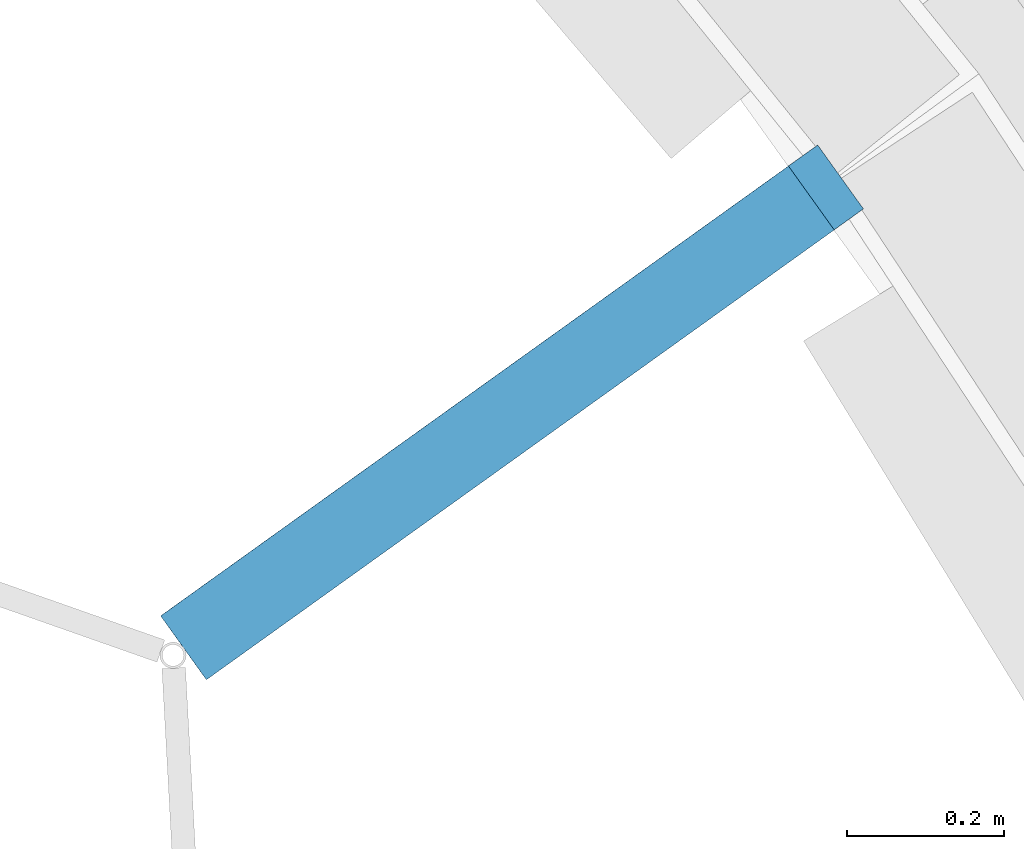
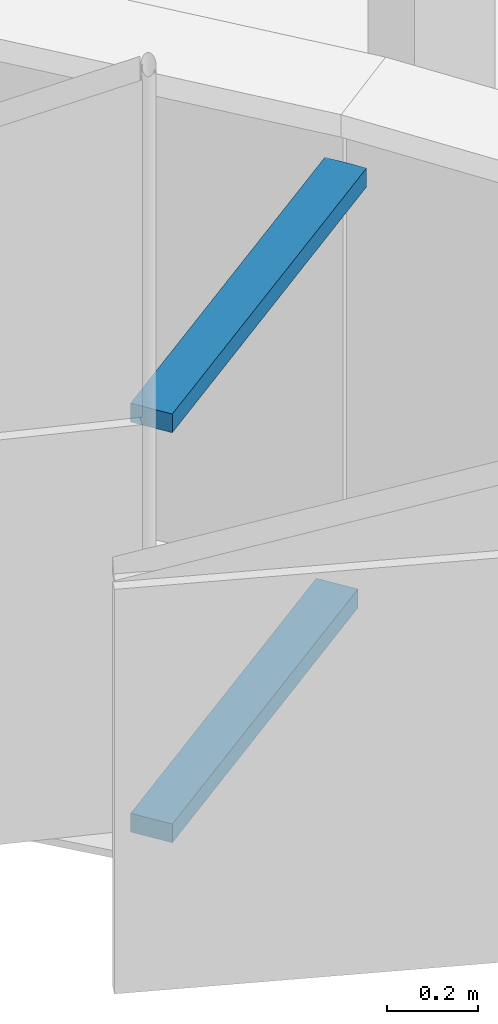
# One storey, part 260 of 483: 2 discrete accessories.
"""IFC4 building model written with IfcOpenShell, lengths in metres."""

import ifcopenshell
import ifcopenshell.guid

model = None  # the IFC model being written
_history = None  # IfcOwnerHistory: only IFC2X3 demands one
_inside = {}  # id of a spatial element -> (the spatial element, [elements in it])
_under = {}  # id of a project, library or spatial element -> (it, [spatial elements below it])
_declared = {}  # id of a project -> (the project, [libraries it declares])
_typed = {}  # id of a type object -> (the type object, [elements of that type])
_made_of = {}  # id of a material, layer set ... -> (it, [elements and type objects made of it])


def new_model(schema):
    """Start an empty IFC model of exactly this schema.

    Asked for "IFC4X3", IfcOpenShell would pick the latest addendum, in which some entities
    have other attributes; the version numbers below select the first issue.
    IFC2X3 requires an IfcOwnerHistory on every rooted entity: one is made here for all.
    """
    global model, _history
    if schema == "IFC4X3":
        model = ifcopenshell.file(schema_version=(4, 3, 0, 0))
    else:
        model = ifcopenshell.file(schema=schema)
    _inside.clear()
    _under.clear()
    _declared.clear()
    _typed.clear()
    _made_of.clear()
    _history = None
    if model.schema == "IFC2X3":
        org = make("IfcOrganization", Name="unknown")
        user = make(
            "IfcPersonAndOrganization",
            ThePerson=make("IfcPerson", FamilyName="unknown"),
            TheOrganization=org,
        )
        app = make(
            "IfcApplication",
            ApplicationDeveloper=org,
            Version="unknown",
            ApplicationFullName="unknown",
            ApplicationIdentifier="unknown",
        )
        _history = make(
            "IfcOwnerHistory",
            OwningUser=user,
            OwningApplication=app,
            ChangeAction="ADDED",
            CreationDate=0,
        )
    return model


def make(cls, **values):
    """One entity of the class cls with the attributes given. An attribute that is None is left unset."""
    return model.create_entity(
        cls, **{name: value for name, value in values.items() if value is not None}
    )


def rooted(cls, **values):
    """An entity with a GlobalId (a new one), such as an element, a storey or a relation."""
    return make(cls, GlobalId=ifcopenshell.guid.new(), OwnerHistory=_history, **values)


def si_unit(unit_type, name, prefix=None):
    """IfcSIUnit, for example si_unit("LENGTHUNIT", "METRE", prefix="MILLI")."""
    return make("IfcSIUnit", UnitType=unit_type, Prefix=prefix, Name=name)


def assignment(units):
    """IfcUnitAssignment: the units of a project."""
    return None if units is None else make("IfcUnitAssignment", Units=units)


def point(xyz):
    """IfcCartesianPoint."""
    return None if xyz is None else make("IfcCartesianPoint", Coordinates=xyz)


def direction(xyz):
    """IfcDirection."""
    return None if xyz is None else make("IfcDirection", DirectionRatios=xyz)


def frame(location, z_axis=None, x_axis=None):
    """IfcAxis2Placement3D, a coordinate frame: its origin and axes. An axis left out is left unset."""
    return make(
        "IfcAxis2Placement3D",
        Location=point(location),
        Axis=direction(z_axis),
        RefDirection=direction(x_axis),
    )


def frame_2d(location, x_axis=None):
    """IfcAxis2Placement2D, a coordinate frame in the plane: its origin and x axis."""
    return make(
        "IfcAxis2Placement2D", Location=point(location), RefDirection=direction(x_axis)
    )


def origin():
    """The frame at (0, 0, 0) with its axes left unset."""
    return frame((0.0, 0.0, 0.0))


def origin_2d():
    """The frame at (0, 0) in the plane with its x axis left unset."""
    return frame_2d((0.0, 0.0))


def place(relative_to, where):
    """IfcLocalPlacement: puts the frame where relative to a parent placement (None: the world)."""
    return make(
        "IfcLocalPlacement", PlacementRelTo=relative_to, RelativePlacement=where
    )


def context(
    kind, dimensions, precision=None, world=None, true_north=None, identifier=None
):
    """IfcGeometricRepresentationContext, for example the 3D "Model" context."""
    return make(
        "IfcGeometricRepresentationContext",
        ContextIdentifier=identifier,
        ContextType=kind,
        CoordinateSpaceDimension=dimensions,
        Precision=precision,
        WorldCoordinateSystem=world,
        TrueNorth=true_north,
    )


def subcontext(parent, identifier, kind, view, scale=None):
    """IfcGeometricRepresentationSubContext, for example "Body" below "Model"."""
    return make(
        "IfcGeometricRepresentationSubContext",
        ContextIdentifier=identifier,
        ContextType=kind,
        ParentContext=parent,
        TargetScale=scale,
        TargetView=view,
    )


def project(units=None, contexts=None):
    """IfcProject with its units and contexts."""
    return rooted(
        "IfcProject",
        Name="project",
        RepresentationContexts=contexts,
        UnitsInContext=assignment(units),
    )


def spatial(cls, under=None, at=None, **own):
    """A site, building, storey or space (cls), placed at a placement, below another one or the project."""
    s = rooted(cls, ObjectPlacement=at, **own)
    if under is not None:
        _under.setdefault(under.id(), (under, []))[1].append(s)
    return s


def profile(cls, at=None, kind="AREA", **sizes):
    """A parametric profile (cls). Its sizes go by their IFC names, for example OverallWidth=200.0."""
    return make(cls, ProfileType=kind, Position=at, **sizes)


def rectangle(**sizes):
    """IfcRectangleProfileDef."""
    return profile("IfcRectangleProfileDef", **sizes)


def extrude(swept, where, along, depth):
    """IfcExtrudedAreaSolid: the profile swept, set in the frame where, extruded along a direction by depth."""
    return make(
        "IfcExtrudedAreaSolid",
        SweptArea=swept,
        Position=where,
        ExtrudedDirection=direction(along),
        Depth=depth,
    )


def shape(context_of_items, identifier, shape_type, items):
    """IfcShapeRepresentation: the items that make up one representation, for example the "Body"."""
    return make(
        "IfcShapeRepresentation",
        ContextOfItems=context_of_items,
        RepresentationIdentifier=identifier,
        RepresentationType=shape_type,
        Items=items,
    )


def material(Name=None, Category=None):
    """IfcMaterial."""
    return make("IfcMaterial", Name=Name, Category=Category)


def made_of(thing, what):
    """Note that an element or type object is made of a material, layer set ...; save() writes the relation."""
    if what is not None:
        _made_of.setdefault(what.id(), (what, []))[1].append(thing)
    return thing


def type_object(cls, material=None, **own):
    """A type object (cls), such as IfcWallType, which elements share."""
    return made_of(rooted(cls, **own), material)


def element(
    cls,
    number,
    at=None,
    inside=None,
    cuts=None,
    type_object=None,
    material=None,
    context=None,
    identifier="Body",
    shape_type=None,
    held_by="IfcProductDefinitionShape",
    body=None,
    shapes=None,
    **own,
):
    """One element of the class cls, such as IfcWall. Its Tag is "e" and its number.

    at: its placement. inside: the storey or other place that contains it. cuts: it is an
    opening in that element (IfcRelVoidsElement). A single representation is given by context,
    identifier, shape_type and body (its items); several are given by shapes. held_by: the class
    of the entity that holds the representations. save() writes the other relations.
    """
    e = rooted(cls, Tag="e%d" % number, ObjectPlacement=at, **own)
    if body is not None:
        shapes = [shape(context, identifier, shape_type, body)]
    if shapes is not None:
        e.Representation = make(held_by, Representations=shapes)
    if inside is not None:
        _inside.setdefault(inside.id(), (inside, []))[1].append(e)
    if cuts is not None:
        rooted(
            "IfcRelVoidsElement", RelatingBuildingElement=cuts, RelatedOpeningElement=e
        )
    if type_object is not None:
        _typed.setdefault(type_object.id(), (type_object, []))[1].append(e)
    return made_of(e, material)


def aggregate(whole, parts):
    """IfcRelAggregates: a whole, such as a stair, and the parts it consists of."""
    return rooted("IfcRelAggregates", RelatingObject=whole, RelatedObjects=parts)


def save(model, path):
    """Write the relations noted so far, then the file.

    IfcRelAggregates (storeys below a building ...), IfcRelContainedInSpatialStructure (elements
    in a storey), IfcRelDefinesByType, IfcRelAssociatesMaterial and IfcRelDeclares: one each for
    every whole, place, type object, material and project.
    """
    for whole, parts in _under.values():
        aggregate(whole, parts)
    for where, things in _inside.values():
        rooted(
            "IfcRelContainedInSpatialStructure",
            RelatedElements=things,
            RelatingStructure=where,
        )
    for kind, things in _typed.values():
        rooted("IfcRelDefinesByType", RelatedObjects=things, RelatingType=kind)
    for what, things in _made_of.values():
        rooted("IfcRelAssociatesMaterial", RelatedObjects=things, RelatingMaterial=what)
    for by, libraries in _declared.values():
        rooted("IfcRelDeclares", RelatingContext=by, RelatedDefinitions=libraries)
    model.write(path)


model = new_model("IFC4")

# Units and contexts
model_context = context("Model", 3, precision=1e-05, world=origin(), true_north=direction((0.0, 1.0)))
body_context = subcontext(model_context, "Body", "Model", "MODEL_VIEW")
ifc_project = project(units=[si_unit("LENGTHUNIT", "METRE"), si_unit("AREAUNIT", "SQUARE_METRE"), si_unit("VOLUMEUNIT", "CUBIC_METRE"), si_unit("PLANEANGLEUNIT", "RADIAN"), si_unit("MASSUNIT", "GRAM", prefix="KILO")], contexts=[model_context])

# Site, building, storey
site_placement = place(None, origin())
site = spatial("IfcSite", under=ifc_project, at=site_placement, CompositionType="ELEMENT")
building_placement = place(site_placement, origin())
building = spatial("IfcBuilding", under=site, at=building_placement, Name="Parallax Yard Mobility Hub", CompositionType="ELEMENT")
storey_placement = place(building_placement, frame((0.0, 0.0, 13.199951171875)))
storey = spatial("IfcBuildingStorey", under=building, at=storey_placement, Name="L04", CompositionType="ELEMENT", Elevation=13.199951171875)

# Discrete accessories
ifc_material = material(Name="Steel ASTM A36, hot-dip galvanised", Category="steel")
discrete_accessory_type = type_object("IfcDiscreteAccessoryType", Name="Hinge bracket plate 100x50", PredefinedType="BRACKET", material=ifc_material)
discrete_accessory_1_placement = place(storey_placement, frame((190.295166015625, 102.930419921875, -0.02490234375), z_axis=(0.0, 0.0, 1.0), x_axis=(-0.812846684592, -0.582477696868, 0.0)))
element("IfcDiscreteAccessory", 1, at=discrete_accessory_1_placement, inside=storey, type_object=discrete_accessory_type, Name="Hinge bracket plate bay 21.1 level L04", PredefinedType="BRACKET", context=body_context, shape_type="SweptSolid", body=[
    extrude(rectangle(XDim=0.984130859375, YDim=0.10009765625, at=origin_2d()), origin(), (0.0, 0.0, 1.0), 0.050048828125),
])
discrete_accessory_2_placement = place(storey_placement, frame((190.313720703125, 102.94384765625, 1.06982421875), z_axis=(0.0, 0.0, 1.0), x_axis=(-0.812846684592, -0.582477696868, 0.0)))
element("IfcDiscreteAccessory", 2, at=discrete_accessory_2_placement, inside=storey, type_object=discrete_accessory_type, Name="Hinge bracket plate bay 21.1 level L04", PredefinedType="BRACKET", context=body_context, shape_type="SweptSolid", body=[
    extrude(rectangle(XDim=1.030029296875, YDim=0.10009765625, at=origin_2d()), origin(), (0.0, 0.0, 1.0), 0.050048828125),
])

save(model, "model.ifc")
